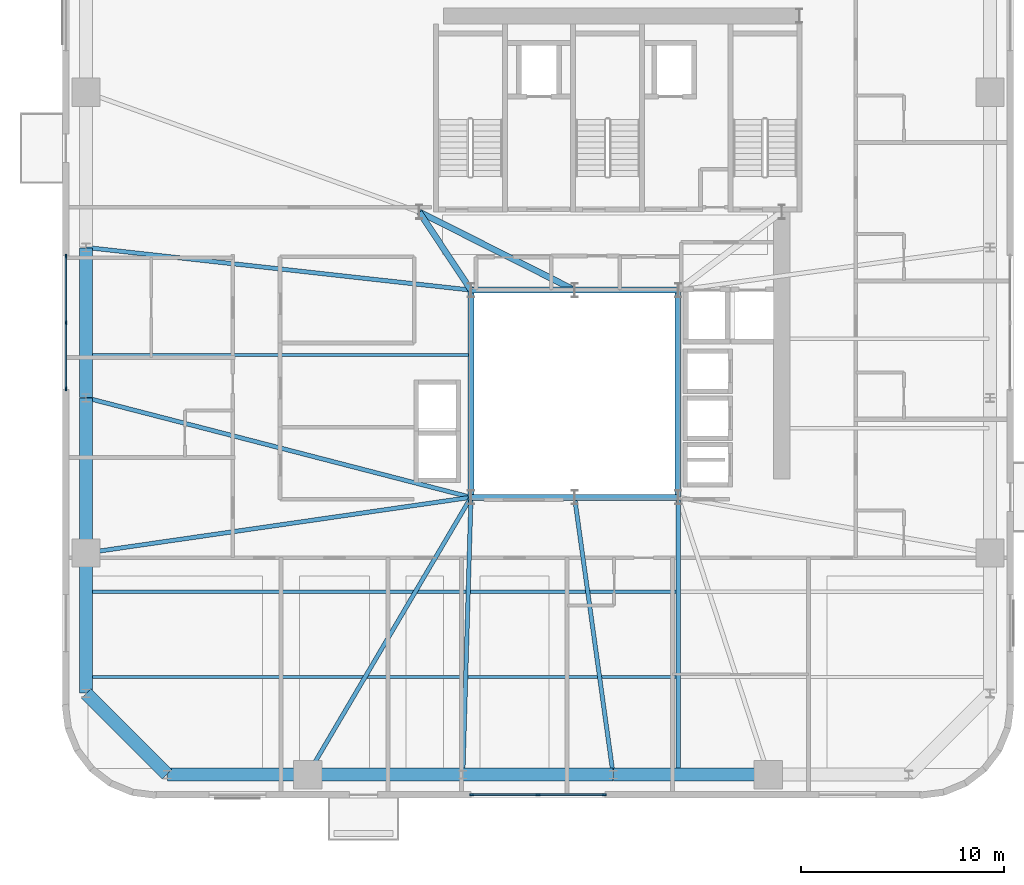
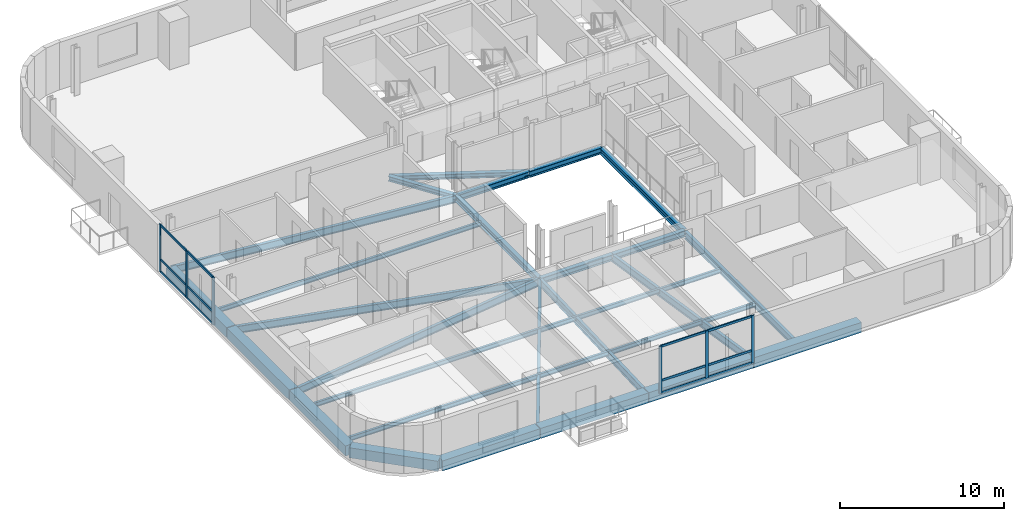
# One storey, part 3 of 13: 26 beams, 18 members, 2 elements without a shape of their own.
"""IFC4 building model written with IfcOpenShell, lengths in metres."""

from ifc_helpers import new_model, si_unit, direction, frame, origin, origin_2d, place, context, subcontext, project, spatial, rectangle, i_section, extrude, source, transform, mapped, material, material_profile, profile_set, type_object, element, aggregate, save


model = new_model("IFC4")

# Units and contexts
model_context = context("Model", 3, precision=1e-05, world=origin(), true_north=direction((0.0, 1.0)))
body_context = subcontext(model_context, "Body", "Model", "MODEL_VIEW")
ifc_project = project(units=[si_unit("LENGTHUNIT", "METRE"), si_unit("AREAUNIT", "SQUARE_METRE"), si_unit("VOLUMEUNIT", "CUBIC_METRE"), si_unit("PLANEANGLEUNIT", "RADIAN"), si_unit("MASSUNIT", "GRAM", prefix="KILO")], contexts=[model_context])

# Site, building, storey
site_placement = place(None, origin())
site = spatial("IfcSite", under=ifc_project, at=site_placement, CompositionType="ELEMENT")
building_placement = place(site_placement, origin())
building = spatial("IfcBuilding", under=site, at=building_placement, Name="Vardaveli Station Tower", CompositionType="ELEMENT")
storey_placement = place(building_placement, frame((0.0, 0.0, 196.050048828125)))
storey = spatial("IfcBuildingStorey", under=building, at=storey_placement, Name="L50", CompositionType="ELEMENT", Elevation=196.050048828125)

# Beams
ifc_material_1 = material(Name="Structural steel S355J2", Category="steel")
ifc_material_profile_1 = material_profile(ifc_material_1, i_section(OverallWidth=0.300048828125, OverallDepth=0.449951171875, WebThickness=0.013916015625, FlangeThickness=0.02587890625, FilletRadius=0.027099609375, at=origin_2d()), Name="HEB 450")
ifc_profile_set_1 = profile_set([ifc_material_profile_1], Name="Structural steel S355J2")
beam_type_1 = type_object("IfcBeamType", Name="BM-HEB450", PredefinedType="BEAM", material=ifc_profile_set_1)
shared_shape_1 = source(origin(), body_context, "Body", "SweptSolid", [
    extrude(i_section(OverallWidth=0.300048828125, OverallDepth=0.449951171875, WebThickness=0.013916015625, FlangeThickness=0.02587890625, FilletRadius=0.027099609375, at=origin_2d()), origin(), (0.0, 0.0, 1.0), 5.06005859375),
])
for number, where, z_axis, x_axis, name in (
    (1, (31.219970703125, 16.60009765625, -0.445068359375), (1.0, 0.0, 0.0), (0.0, 1.0, 0.0), "ABM-L50-01"),
    (2, (36.280029296875, 26.800048828125, -0.445068359375), (-1.0, 0.0, 0.0), (0.0, -1.0, 0.0), "ABM-L50-05"),
):
    element("IfcBeam", number, at=place(storey_placement, frame(where, z_axis=z_axis, x_axis=x_axis)), inside=storey, type_object=beam_type_1, Name=name, PredefinedType="BEAM", context=body_context, shape_type="MappedRepresentation", body=[
        mapped(shared_shape_1, transform((0.0, 0.0, 0.0), scale=1.0)),
    ])
shared_shape_2 = source(origin(), body_context, "Body", "SweptSolid", [
    extrude(i_section(OverallWidth=0.300048828125, OverallDepth=0.449951171875, WebThickness=0.013916015625, FlangeThickness=0.02587890625, FilletRadius=0.027099609375, at=origin_2d()), origin(), (0.0, 0.0, 1.0), 5.059814453125),
])
for number, where, z_axis, x_axis, name in (
    (3, (36.320068359375, 16.60009765625, -0.445068359375), (1.0, 0.0, 0.0), (0.0, 1.0, 0.0), "ABM-L50-02"),
    (4, (41.3798828125, 26.800048828125, -0.445068359375), (-1.0, 0.0, 0.0), (0.0, -1.0, 0.0), "ABM-L50-04"),
):
    element("IfcBeam", number, at=place(storey_placement, frame(where, z_axis=z_axis, x_axis=x_axis)), inside=storey, type_object=beam_type_1, Name=name, PredefinedType="BEAM", context=body_context, shape_type="MappedRepresentation", body=[
        mapped(shared_shape_2, transform((0.0, 0.0, 0.0), scale=1.0)),
    ])
shared_shape_3 = source(origin(), body_context, "Body", "SweptSolid", [
    extrude(i_section(OverallWidth=0.300048828125, OverallDepth=0.449951171875, WebThickness=0.013916015625, FlangeThickness=0.02587890625, FilletRadius=0.027099609375, at=origin_2d()), origin(), (0.0, 0.0, 1.0), 10.159912109375),
])
for number, where, z_axis, x_axis, name in (
    (5, (41.39990234375, 16.6201171875, -0.445068359375), (0.0, 1.0, 0.0), (-1.0, 0.0, 0.0), "ABM-L50-03"),
    (6, (31.199951171875, 26.780029296875, -0.445068359375), (0.0, -1.0, 0.0), (1.0, 0.0, 0.0), "ABM-L50-06"),
):
    element("IfcBeam", number, at=place(storey_placement, frame(where, z_axis=z_axis, x_axis=x_axis)), inside=storey, type_object=beam_type_1, Name=name, PredefinedType="BEAM", context=body_context, shape_type="MappedRepresentation", body=[
        mapped(shared_shape_3, transform((0.0, 0.0, 0.0), scale=1.0)),
    ])
ifc_material_profile_2 = material_profile(ifc_material_1, i_section(OverallWidth=0.300048828125, OverallDepth=0.360107421875, WebThickness=0.012451171875, FlangeThickness=0.0224609375, FilletRadius=0.027099609375, at=origin_2d()), Name="HEB 360")
ifc_profile_set_2 = profile_set([ifc_material_profile_2], Name="Structural steel S355J2")
beam_type_2 = type_object("IfcBeamType", Name="BM-HEB360", PredefinedType="BEAM", material=ifc_profile_set_2)
shared_shape_4 = source(origin(), body_context, "Body", "SweptSolid", [
    extrude(i_section(OverallWidth=0.300048828125, OverallDepth=0.360107421875, WebThickness=0.012451171875, FlangeThickness=0.0224609375, FilletRadius=0.027099609375, at=origin_2d()), origin(), (0.0, 0.0, 1.0), 4.577880859375),
])
beam_1_placement = place(storey_placement, frame((31.18896484375, 26.816650390625, -0.400146484375), z_axis=(-0.55218702139, 0.833720272879, 0.0), x_axis=(-0.833720272879, -0.55218702139, 0.0)))
element("IfcBeam", 7, at=beam_1_placement, inside=storey, type_object=beam_type_2, Name="CBM-L50-01", PredefinedType="BEAM", context=body_context, shape_type="MappedRepresentation", body=[
    mapped(shared_shape_4, transform((0.0, 0.0, 0.0), scale=1.0)),
])
shared_shape_5 = source(origin(), body_context, "Body", "SweptSolid", [
    extrude(i_section(OverallWidth=0.300048828125, OverallDepth=0.360107421875, WebThickness=0.012451171875, FlangeThickness=0.0224609375, FilletRadius=0.027099609375, at=origin_2d()), origin(), (0.0, 0.0, 1.0), 8.524169921875),
])
beam_2_placement = place(storey_placement, frame((28.66796875, 30.64111328125, -0.400146484375), z_axis=(0.893255584708, -0.449549174605, 0.0), x_axis=(0.449549174605, 0.893255584708, 0.0)))
element("IfcBeam", 8, at=beam_2_placement, inside=storey, type_object=beam_type_2, Name="CBM-L50-03", PredefinedType="BEAM", context=body_context, shape_type="MappedRepresentation", body=[
    mapped(shared_shape_5, transform((0.0, 0.0, 0.0), scale=1.0)),
])
ifc_material_2 = material(Name="Precast concrete C45/55", Category="concrete")
ifc_material_profile_3 = material_profile(ifc_material_2, rectangle(XDim=0.64990234375, YDim=0.75, at=origin_2d()), Name="LPB 650x750")
ifc_profile_set_3 = profile_set([ifc_material_profile_3], Name="Precast concrete C45/55")
beam_type_3 = type_object("IfcBeamType", Name="BM-LPB-750", PredefinedType="BEAM", material=ifc_profile_set_3)
shared_shape_6 = source(origin(), body_context, "Body", "SweptSolid", [
    extrude(rectangle(XDim=0.64990234375, YDim=0.75, at=origin_2d()), origin(), (0.0, 0.0, 1.0), 7.60009765625),
])
for number, where, z_axis, x_axis, name in (
    (9, (23.179931640625, 2.949951171875, -0.594970703125), (1.0, 0.0, 0.0), (0.0, 1.0, 0.0), "RBM-L50-01"),
    (10, (38.219970703125, 2.949951171875, -0.594970703125), (1.0, 0.0, 0.0), (0.0, 1.0, 0.0), "RBM-L50-03"),
    (11, (12.25, 21.47998046875, -0.594970703125), (0.0, -1.0, 0.0), (1.0, 0.0, 0.0), "RBM-L50-21"),
):
    element("IfcBeam", number, at=place(storey_placement, frame(where, z_axis=z_axis, x_axis=x_axis)), inside=storey, type_object=beam_type_3, Name=name, PredefinedType="BEAM", context=body_context, shape_type="MappedRepresentation", body=[
        mapped(shared_shape_6, transform((0.0, 0.0, 0.0), scale=1.0)),
    ])
shared_shape_7 = source(origin(), body_context, "Body", "SweptSolid", [
    extrude(rectangle(XDim=0.64990234375, YDim=0.75, at=origin_2d()), origin(), (0.0, 0.0, 1.0), 7.35986328125),
])
for number, where, z_axis, x_axis, name in (
    (12, (30.820068359375, 2.949951171875, -0.594970703125), (1.0, 0.0, 0.0), (0.0, 1.0, 0.0), "RBM-L50-02"),
    (13, (12.25, 28.8798828125, -0.594970703125), (0.0, -1.0, 0.0), (1.0, 0.0, 0.0), "RBM-L50-20"),
):
    element("IfcBeam", number, at=place(storey_placement, frame(where, z_axis=z_axis, x_axis=x_axis)), inside=storey, type_object=beam_type_3, Name=name, PredefinedType="BEAM", context=body_context, shape_type="MappedRepresentation", body=[
        mapped(shared_shape_7, transform((0.0, 0.0, 0.0), scale=1.0)),
    ])
shared_shape_8 = source(origin(), body_context, "Body", "SweptSolid", [
    extrude(rectangle(XDim=0.64990234375, YDim=0.75, at=origin_2d()), origin(), (0.0, 0.0, 1.0), 6.869873046875),
])
beam_3_placement = place(storey_placement, frame((16.27001953125, 2.949951171875, -0.594970703125), z_axis=(1.0, 0.0, 0.0), x_axis=(0.0, 1.0, 0.0)))
element("IfcBeam", 14, at=beam_3_placement, inside=storey, type_object=beam_type_3, Name="RBM-L50-24", PredefinedType="BEAM", context=body_context, shape_type="MappedRepresentation", body=[
    mapped(shared_shape_8, transform((0.0, 0.0, 0.0), scale=1.0)),
])
shared_shape_9 = source(origin(), body_context, "Body", "SweptSolid", [
    extrude(rectangle(XDim=0.64990234375, YDim=0.75, at=origin_2d()), origin(), (0.0, 0.0, 1.0), 5.61669921875),
])
beam_4_placement = place(storey_placement, frame((12.26416015625, 6.935791015625, -0.594970703125), z_axis=(0.707106781187, -0.707106781187, 0.0), x_axis=(0.707106781187, 0.707106781187, 0.0)))
element("IfcBeam", 15, at=beam_4_placement, inside=storey, type_object=beam_type_3, Name="RBM-L50-23", PredefinedType="BEAM", context=body_context, shape_type="MappedRepresentation", body=[
    mapped(shared_shape_9, transform((0.0, 0.0, 0.0), scale=1.0)),
])
shared_shape_10 = source(origin(), body_context, "Body", "SweptSolid", [
    extrude(rectangle(XDim=0.64990234375, YDim=0.75, at=origin_2d()), origin(), (0.0, 0.0, 1.0), 6.8701171875),
])
beam_5_placement = place(storey_placement, frame((12.25, 13.840087890625, -0.594970703125), z_axis=(0.0, -1.0, 0.0), x_axis=(1.0, 0.0, 0.0)))
element("IfcBeam", 16, at=beam_5_placement, inside=storey, type_object=beam_type_3, Name="RBM-L50-22", PredefinedType="BEAM", context=body_context, shape_type="MappedRepresentation", body=[
    mapped(shared_shape_10, transform((0.0, 0.0, 0.0), scale=1.0)),
])
ifc_material_profile_4 = material_profile(ifc_material_1, i_section(OverallWidth=0.2099609375, OverallDepth=0.550048828125, WebThickness=0.010986328125, FlangeThickness=0.01708984375, FilletRadius=0.02392578125, at=origin_2d()), Name="IPE 550")
ifc_profile_set_4 = profile_set([ifc_material_profile_4], Name="Structural steel S355J2")
beam_type_4 = type_object("IfcBeamType", Name="BM-IPE550", PredefinedType="BEAM", material=ifc_profile_set_4)
shared_shape_11 = source(origin(), body_context, "Body", "SweptSolid", [
    extrude(i_section(OverallWidth=0.2099609375, OverallDepth=0.550048828125, WebThickness=0.010986328125, FlangeThickness=0.01708984375, FilletRadius=0.02392578125, at=origin_2d()), origin(), (0.0, 0.0, 1.0), 13.469970703125),
])
beam_6_placement = place(storey_placement, frame((41.39990234375, 2.989990234375, -0.4951171875), z_axis=(0.0, 1.0, 0.0), x_axis=(-1.0, 0.0, 0.0)))
element("IfcBeam", 17, at=beam_6_placement, inside=storey, type_object=beam_type_4, Name="NSM-L50-S2", PredefinedType="BEAM", context=body_context, shape_type="MappedRepresentation", body=[
    mapped(shared_shape_11, transform((0.0, 0.0, 0.0), scale=1.0)),
])
ifc_material_profile_5 = material_profile(ifc_material_1, i_section(OverallWidth=0.159912109375, OverallDepth=0.330078125, WebThickness=0.007568359375, FlangeThickness=0.011474609375, FilletRadius=0.01806640625, at=origin_2d()), Name="IPE 330")
ifc_profile_set_5 = profile_set([ifc_material_profile_5], Name="Structural steel S355J2")
beam_type_5 = type_object("IfcBeamType", Name="BM-IPE330", PredefinedType="JOIST", material=ifc_profile_set_5)
shared_shape_12 = source(origin(), body_context, "Body", "SweptSolid", [
    extrude(i_section(OverallWidth=0.159912109375, OverallDepth=0.330078125, WebThickness=0.007568359375, FlangeThickness=0.011474609375, FilletRadius=0.01806640625, at=origin_2d()), origin(), (0.0, 0.0, 1.0), 28.998046875),
])
for number, where, z_axis, x_axis, name in (
    (18, (12.2900390625, 7.75, -0.385009765625), (1.0, 0.0, 0.0), (0.0, 1.0, 0.0), "SJ-L50-S01"),
    (19, (12.2900390625, 11.949951171875, -0.385009765625), (1.0, 0.0, 0.0), (0.0, 1.0, 0.0), "SJ-L50-S03"),
):
    element("IfcBeam", number, at=place(storey_placement, frame(where, z_axis=z_axis, x_axis=x_axis)), inside=storey, type_object=beam_type_5, Name=name, PredefinedType="JOIST", context=body_context, shape_type="MappedRepresentation", body=[
        mapped(shared_shape_12, transform((0.0, 0.0, 0.0), scale=1.0)),
    ])
shared_shape_13 = source(origin(), body_context, "Body", "SweptSolid", [
    extrude(i_section(OverallWidth=0.159912109375, OverallDepth=0.330078125, WebThickness=0.007568359375, FlangeThickness=0.011474609375, FilletRadius=0.01806640625, at=origin_2d()), origin(), (0.0, 0.0, 1.0), 18.7978515625),
])
beam_7_placement = place(storey_placement, frame((12.2900390625, 23.60009765625, -0.385009765625), z_axis=(1.0, 0.0, 0.0), x_axis=(0.0, 1.0, 0.0)))
element("IfcBeam", 20, at=beam_7_placement, inside=storey, type_object=beam_type_5, Name="SJ-L50-W06", PredefinedType="JOIST", context=body_context, shape_type="MappedRepresentation", body=[
    mapped(shared_shape_13, transform((0.0, 0.0, 0.0), scale=1.0)),
])
shared_shape_14 = source(origin(), body_context, "Body", "SweptSolid", [
    extrude(i_section(OverallWidth=0.2099609375, OverallDepth=0.550048828125, WebThickness=0.010986328125, FlangeThickness=0.01708984375, FilletRadius=0.02392578125, at=origin_2d()), origin(), (0.0, 0.0, 1.0), 15.8017578125),
])
beam_8_placement = place(storey_placement, frame((23.170166015625, 2.96728515625, -0.4951171875), z_axis=(0.507521713546, 0.86163896748, 0.0), x_axis=(-0.86163896748, 0.507521713546, 0.0)))
element("IfcBeam", 21, at=beam_8_placement, inside=storey, type_object=beam_type_4, Name="GBM-L50-01", PredefinedType="BEAM", context=body_context, shape_type="MappedRepresentation", body=[
    mapped(shared_shape_14, transform((0.0, 0.0, 0.0), scale=1.0)),
])
shared_shape_15 = source(origin(), body_context, "Body", "SweptSolid", [
    extrude(i_section(OverallWidth=0.2099609375, OverallDepth=0.550048828125, WebThickness=0.010986328125, FlangeThickness=0.01708984375, FilletRadius=0.02392578125, at=origin_2d()), origin(), (0.0, 0.0, 1.0), 13.615966796875),
])
beam_9_placement = place(storey_placement, frame((30.800537109375, 2.969970703125, -0.4951171875), z_axis=(0.029298411379, 0.9995707094, 0.0), x_axis=(-0.9995707094, 0.029298411379, 0.0)))
element("IfcBeam", 22, at=beam_9_placement, inside=storey, type_object=beam_type_4, Name="GBM-L50-02", PredefinedType="BEAM", context=body_context, shape_type="MappedRepresentation", body=[
    mapped(shared_shape_15, transform((0.0, 0.0, 0.0), scale=1.0)),
])
shared_shape_16 = source(origin(), body_context, "Body", "SweptSolid", [
    extrude(i_section(OverallWidth=0.2099609375, OverallDepth=0.550048828125, WebThickness=0.010986328125, FlangeThickness=0.01708984375, FilletRadius=0.02392578125, at=origin_2d()), origin(), (0.0, 0.0, 1.0), 13.741455078125),
])
beam_10_placement = place(storey_placement, frame((38.197265625, 2.9697265625, -0.4951171875), z_axis=(-0.137868554024, 0.990450534762, 0.0), x_axis=(-0.990450534762, -0.137868554024, 0.0)))
element("IfcBeam", 23, at=beam_10_placement, inside=storey, type_object=beam_type_4, Name="GBM-L50-03", PredefinedType="BEAM", context=body_context, shape_type="MappedRepresentation", body=[
    mapped(shared_shape_16, transform((0.0, 0.0, 0.0), scale=1.0)),
])
shared_shape_17 = source(origin(), body_context, "Body", "SweptSolid", [
    extrude(i_section(OverallWidth=0.2099609375, OverallDepth=0.550048828125, WebThickness=0.010986328125, FlangeThickness=0.01708984375, FilletRadius=0.02392578125, at=origin_2d()), origin(), (0.0, 0.0, 1.0), 19.026123046875),
])
beam_11_placement = place(storey_placement, frame((12.269775390625, 28.897705078125, -0.4951171875), z_axis=(0.993916552721, -0.110135762707, 0.0), x_axis=(0.110135762707, 0.993916552721, 0.0)))
element("IfcBeam", 24, at=beam_11_placement, inside=storey, type_object=beam_type_4, Name="GBM-L50-08", PredefinedType="BEAM", context=body_context, shape_type="MappedRepresentation", body=[
    mapped(shared_shape_17, transform((0.0, 0.0, 0.0), scale=1.0)),
])
shared_shape_18 = source(origin(), body_context, "Body", "SweptSolid", [
    extrude(i_section(OverallWidth=0.2099609375, OverallDepth=0.550048828125, WebThickness=0.010986328125, FlangeThickness=0.01708984375, FilletRadius=0.02392578125, at=origin_2d()), origin(), (0.0, 0.0, 1.0), 19.533447265625),
])
beam_12_placement = place(storey_placement, frame((12.269287109375, 21.494873046875, -0.4951171875), z_axis=(0.968159081778, -0.250335759272, 0.0), x_axis=(0.250335759272, 0.968159081778, 0.0)))
element("IfcBeam", 25, at=beam_12_placement, inside=storey, type_object=beam_type_4, Name="GBM-L50-09", PredefinedType="BEAM", context=body_context, shape_type="MappedRepresentation", body=[
    mapped(shared_shape_18, transform((0.0, 0.0, 0.0), scale=1.0)),
])
shared_shape_19 = source(origin(), body_context, "Body", "SweptSolid", [
    extrude(i_section(OverallWidth=0.2099609375, OverallDepth=0.550048828125, WebThickness=0.010986328125, FlangeThickness=0.01708984375, FilletRadius=0.02392578125, at=origin_2d()), origin(), (0.0, 0.0, 1.0), 19.107177734375),
])
beam_13_placement = place(storey_placement, frame((12.269775390625, 13.86279296875, -0.4951171875), z_axis=(0.989707072711, 0.143108036903, 0.0), x_axis=(-0.143108036903, 0.989707072711, 0.0)))
element("IfcBeam", 26, at=beam_13_placement, inside=storey, type_object=beam_type_4, Name="GBM-L50-10", PredefinedType="BEAM", context=body_context, shape_type="MappedRepresentation", body=[
    mapped(shared_shape_19, transform((0.0, 0.0, 0.0), scale=1.0)),
])

# Curtain wall, members
ifc_material_3 = material(Name="Travertine stone and solar-control glass", Category="masonry")
curtain_wall_type = type_object("IfcCurtainWallType", Name="CW-SYS-5", PredefinedType="NOTDEFINED", material=ifc_material_3)
curtain_wall_1_placement = place(storey_placement, origin())
curtain_wall_1 = element("IfcCurtainWall", 27, at=curtain_wall_1_placement, inside=storey, type_object=curtain_wall_type, Name="CW-L50-S", PredefinedType="NOTDEFINED")
ifc_material_4 = material(Name="Anodised aluminium alloy 6063-T6", Category="aluminium")
ifc_material_profile_6 = material_profile(ifc_material_4, rectangle(XDim=0.080078125, YDim=0.1650390625, at=origin_2d()), Name="CWT 80x165")
ifc_profile_set_6 = profile_set([ifc_material_profile_6], Name="Anodised aluminium alloy 6063-T6")
member_type_1 = type_object("IfcMemberType", Name="CW-SYS-5-TRAN", PredefinedType="NOTDEFINED", material=ifc_profile_set_6)
shared_shape_20 = source(origin(), body_context, "Body", "SweptSolid", [
    extrude(rectangle(XDim=0.080078125, YDim=0.1650390625, at=origin_2d()), origin(), (0.0, 0.0, 1.0), 3.179931640625),
])
member_1_placement = place(storey_placement, frame((31.280029296875, 1.9599609375, 0.0400390625), z_axis=(1.0, 0.0, 0.0), x_axis=(0.0, 1.0, 0.0)))
member_1 = element("IfcMember", 28, at=member_1_placement, type_object=member_type_1, Name="CW-5 transom 1.1", ObjectType="TRANSOM", PredefinedType="USERDEFINED", context=body_context, shape_type="MappedRepresentation", body=[
    mapped(shared_shape_20, transform((0.0, 0.0, 0.0), scale=1.0)),
])
member_2_placement = place(storey_placement, frame((31.280029296875, 1.9599609375, 0.949951171875), z_axis=(1.0, 0.0, 0.0), x_axis=(0.0, 1.0, 0.0)))
member_2 = element("IfcMember", 29, at=member_2_placement, type_object=member_type_1, Name="CW-5 transom 1.2", ObjectType="TRANSOM", PredefinedType="USERDEFINED", context=body_context, shape_type="MappedRepresentation", body=[
    mapped(shared_shape_20, transform((0.0, 0.0, 0.0), scale=1.0)),
])
member_3_placement = place(storey_placement, frame((31.280029296875, 1.9599609375, 3.489990234375), z_axis=(1.0, 0.0, 0.0), x_axis=(0.0, 1.0, 0.0)))
member_3 = element("IfcMember", 30, at=member_3_placement, type_object=member_type_1, Name="CW-5 transom 1.3", ObjectType="TRANSOM", PredefinedType="USERDEFINED", context=body_context, shape_type="MappedRepresentation", body=[
    mapped(shared_shape_20, transform((0.0, 0.0, 0.0), scale=1.0)),
])
member_4_placement = place(storey_placement, frame((34.5400390625, 1.9599609375, 0.0400390625), z_axis=(1.0, 0.0, 0.0), x_axis=(0.0, 1.0, 0.0)))
member_4 = element("IfcMember", 31, at=member_4_placement, type_object=member_type_1, Name="CW-5 transom 2.1", ObjectType="TRANSOM", PredefinedType="USERDEFINED", context=body_context, shape_type="MappedRepresentation", body=[
    mapped(shared_shape_20, transform((0.0, 0.0, 0.0), scale=1.0)),
])
member_5_placement = place(storey_placement, frame((34.5400390625, 1.9599609375, 0.949951171875), z_axis=(1.0, 0.0, 0.0), x_axis=(0.0, 1.0, 0.0)))
member_5 = element("IfcMember", 32, at=member_5_placement, type_object=member_type_1, Name="CW-5 transom 2.2", ObjectType="TRANSOM", PredefinedType="USERDEFINED", context=body_context, shape_type="MappedRepresentation", body=[
    mapped(shared_shape_20, transform((0.0, 0.0, 0.0), scale=1.0)),
])
member_6_placement = place(storey_placement, frame((34.5400390625, 1.9599609375, 3.489990234375), z_axis=(1.0, 0.0, 0.0), x_axis=(0.0, 1.0, 0.0)))
member_6 = element("IfcMember", 33, at=member_6_placement, type_object=member_type_1, Name="CW-5 transom 2.3", ObjectType="TRANSOM", PredefinedType="USERDEFINED", context=body_context, shape_type="MappedRepresentation", body=[
    mapped(shared_shape_20, transform((0.0, 0.0, 0.0), scale=1.0)),
])

curtain_wall_2_placement = place(storey_placement, origin())
curtain_wall_2 = element("IfcCurtainWall", 34, at=curtain_wall_2_placement, inside=storey, type_object=curtain_wall_type, Name="CW-L50-W", PredefinedType="NOTDEFINED")
member_7_placement = place(storey_placement, frame((11.260009765625, 28.419921875, 0.0400390625), z_axis=(0.0, -1.0, 0.0), x_axis=(1.0, 0.0, 0.0)))
member_7 = element("IfcMember", 35, at=member_7_placement, type_object=member_type_1, Name="CW-5 transom 1.1", ObjectType="TRANSOM", PredefinedType="USERDEFINED", context=body_context, shape_type="MappedRepresentation", body=[
    mapped(shared_shape_20, transform((0.0, 0.0, 0.0), scale=1.0)),
])
member_8_placement = place(storey_placement, frame((11.260009765625, 28.419921875, 0.949951171875), z_axis=(0.0, -1.0, 0.0), x_axis=(1.0, 0.0, 0.0)))
member_8 = element("IfcMember", 36, at=member_8_placement, type_object=member_type_1, Name="CW-5 transom 1.2", ObjectType="TRANSOM", PredefinedType="USERDEFINED", context=body_context, shape_type="MappedRepresentation", body=[
    mapped(shared_shape_20, transform((0.0, 0.0, 0.0), scale=1.0)),
])
member_9_placement = place(storey_placement, frame((11.260009765625, 28.419921875, 3.489990234375), z_axis=(0.0, -1.0, 0.0), x_axis=(1.0, 0.0, 0.0)))
member_9 = element("IfcMember", 37, at=member_9_placement, type_object=member_type_1, Name="CW-5 transom 1.3", ObjectType="TRANSOM", PredefinedType="USERDEFINED", context=body_context, shape_type="MappedRepresentation", body=[
    mapped(shared_shape_20, transform((0.0, 0.0, 0.0), scale=1.0)),
])
member_10_placement = place(storey_placement, frame((11.260009765625, 25.159912109375, 0.0400390625), z_axis=(0.0, -1.0, 0.0), x_axis=(1.0, 0.0, 0.0)))
member_10 = element("IfcMember", 38, at=member_10_placement, type_object=member_type_1, Name="CW-5 transom 2.1", ObjectType="TRANSOM", PredefinedType="USERDEFINED", context=body_context, shape_type="MappedRepresentation", body=[
    mapped(shared_shape_20, transform((0.0, 0.0, 0.0), scale=1.0)),
])
member_11_placement = place(storey_placement, frame((11.260009765625, 25.159912109375, 0.949951171875), z_axis=(0.0, -1.0, 0.0), x_axis=(1.0, 0.0, 0.0)))
member_11 = element("IfcMember", 39, at=member_11_placement, type_object=member_type_1, Name="CW-5 transom 2.2", ObjectType="TRANSOM", PredefinedType="USERDEFINED", context=body_context, shape_type="MappedRepresentation", body=[
    mapped(shared_shape_20, transform((0.0, 0.0, 0.0), scale=1.0)),
])
member_12_placement = place(storey_placement, frame((11.260009765625, 25.159912109375, 3.489990234375), z_axis=(0.0, -1.0, 0.0), x_axis=(1.0, 0.0, 0.0)))
member_12 = element("IfcMember", 40, at=member_12_placement, type_object=member_type_1, Name="CW-5 transom 2.3", ObjectType="TRANSOM", PredefinedType="USERDEFINED", context=body_context, shape_type="MappedRepresentation", body=[
    mapped(shared_shape_20, transform((0.0, 0.0, 0.0), scale=1.0)),
])

# Member
ifc_material_profile_7 = material_profile(ifc_material_4, rectangle(XDim=0.080078125, YDim=0.205078125, at=origin_2d()), Name="CWM 80x205")
ifc_profile_set_7 = profile_set([ifc_material_profile_7], Name="Anodised aluminium alloy 6063-T6")
member_type_2 = type_object("IfcMemberType", Name="CW-SYS-5-MULL", PredefinedType="MULLION", material=ifc_profile_set_7)
shared_shape_21 = source(origin(), body_context, "Body", "SweptSolid", [
    extrude(rectangle(XDim=0.080078125, YDim=0.205078125, at=origin_2d()), origin(), (0.0, 0.0, 1.0), 3.530029296875),
])
member_13_placement = place(storey_placement, frame((31.239990234375, 1.9599609375, 0.0), z_axis=(0.0, 0.0, 1.0), x_axis=(0.0, 1.0, 0.0)))
member_13 = element("IfcMember", 41, at=member_13_placement, type_object=member_type_2, Name="CW-5 mullion 1", PredefinedType="MULLION", context=body_context, shape_type="MappedRepresentation", body=[
    mapped(shared_shape_21, transform((0.0, 0.0, 0.0), scale=1.0)),
])

member_14_placement = place(storey_placement, frame((34.5, 1.9599609375, 0.0), z_axis=(0.0, 0.0, 1.0), x_axis=(0.0, 1.0, 0.0)))
member_14 = element("IfcMember", 42, at=member_14_placement, type_object=member_type_2, Name="CW-5 mullion 2", PredefinedType="MULLION", context=body_context, shape_type="MappedRepresentation", body=[
    mapped(shared_shape_21, transform((0.0, 0.0, 0.0), scale=1.0)),
])

member_15_placement = place(storey_placement, frame((37.760009765625, 1.9599609375, 0.0), z_axis=(0.0, 0.0, 1.0), x_axis=(0.0, 1.0, 0.0)))
member_15 = element("IfcMember", 43, at=member_15_placement, type_object=member_type_2, Name="CW-5 mullion 3", PredefinedType="MULLION", context=body_context, shape_type="MappedRepresentation", body=[
    mapped(shared_shape_21, transform((0.0, 0.0, 0.0), scale=1.0)),
])

aggregate(curtain_wall_1, [member_13, member_14, member_15, member_1, member_2, member_3, member_4, member_5, member_6])

member_16_placement = place(storey_placement, frame((11.260009765625, 28.4599609375, 0.0), z_axis=(0.0, 0.0, 1.0), x_axis=(1.0, 0.0, 0.0)))
member_16 = element("IfcMember", 44, at=member_16_placement, type_object=member_type_2, Name="CW-5 mullion 1", PredefinedType="MULLION", context=body_context, shape_type="MappedRepresentation", body=[
    mapped(shared_shape_21, transform((0.0, 0.0, 0.0), scale=1.0)),
])

member_17_placement = place(storey_placement, frame((11.260009765625, 25.199951171875, 0.0), z_axis=(0.0, 0.0, 1.0), x_axis=(1.0, 0.0, 0.0)))
member_17 = element("IfcMember", 45, at=member_17_placement, type_object=member_type_2, Name="CW-5 mullion 2", PredefinedType="MULLION", context=body_context, shape_type="MappedRepresentation", body=[
    mapped(shared_shape_21, transform((0.0, 0.0, 0.0), scale=1.0)),
])

member_18_placement = place(storey_placement, frame((11.260009765625, 21.93994140625, 0.0), z_axis=(0.0, 0.0, 1.0), x_axis=(1.0, 0.0, 0.0)))
member_18 = element("IfcMember", 46, at=member_18_placement, type_object=member_type_2, Name="CW-5 mullion 3", PredefinedType="MULLION", context=body_context, shape_type="MappedRepresentation", body=[
    mapped(shared_shape_21, transform((0.0, 0.0, 0.0), scale=1.0)),
])

aggregate(curtain_wall_2, [member_16, member_17, member_18, member_7, member_8, member_9, member_10, member_11, member_12])

save(model, "model.ifc")
